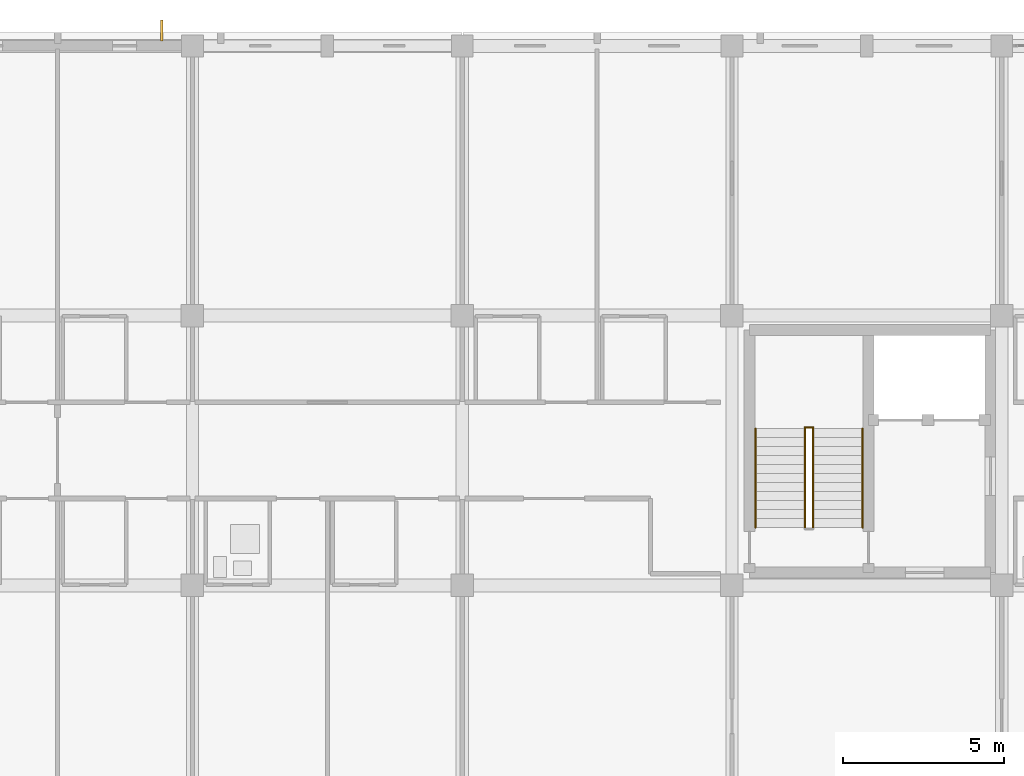
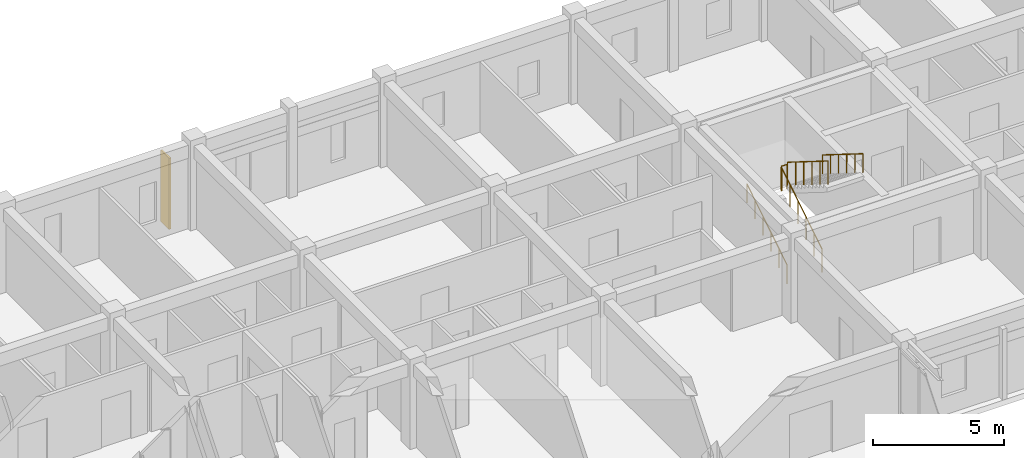
# One storey, part 137 of 140: 5 railings, 1 shading device.
"""IFC4 building model written with IfcOpenShell, lengths in metres."""

from ifc_helpers import new_model, si_unit, direction, frame, origin, origin_2d, place, context, subcontext, project, spatial, rectangle, circle, extrude, material, type_object, element, save


model = new_model("IFC4")

# Units and contexts
model_context = context("Model", 3, precision=1e-05, world=origin(), true_north=direction((0.0, 1.0)))
body_context = subcontext(model_context, "Body", "Model", "MODEL_VIEW")
ifc_project = project(units=[si_unit("LENGTHUNIT", "METRE"), si_unit("AREAUNIT", "SQUARE_METRE"), si_unit("VOLUMEUNIT", "CUBIC_METRE"), si_unit("PLANEANGLEUNIT", "RADIAN"), si_unit("MASSUNIT", "GRAM", prefix="KILO")], contexts=[model_context])

# Site, building, storey
site_placement = place(None, origin())
site = spatial("IfcSite", under=ifc_project, at=site_placement, CompositionType="ELEMENT")
building_placement = place(site_placement, origin())
building = spatial("IfcBuilding", under=site, at=building_placement, Name="Trelvath General Hospital", CompositionType="ELEMENT")
storey_placement = place(building_placement, frame((0.0, 0.0, 16.199951171875)))
storey = spatial("IfcBuildingStorey", under=building, at=storey_placement, Name="L04", CompositionType="ELEMENT", Elevation=16.199951171875)

# Railings
ifc_material_1 = material(Name="Architectural painted steel", Category="steel")
railing_type_1 = type_object("IfcRailingType", Name="Guardrail Terrace1150", PredefinedType="GUARDRAIL", material=ifc_material_1)
railing_1_placement = place(storey_placement, frame((86.530029296875, 105.679931640625, 2.275146484375)))
element("IfcRailing", 1, at=railing_1_placement, inside=storey, type_object=railing_type_1, Name="Stair Rail ST2 L04 F2 L 74", PredefinedType="GUARDRAIL", context=body_context, shape_type="SweptSolid", body=[
    extrude(circle(Radius=0.02392578125, at=origin_2d()), frame((0.0, 0.0, 1.076171875), z_axis=(0.0, -0.848009633417, 0.529980812513), x_axis=(1.0, 0.0, 0.0)), (0.0, 0.0, 1.0), 3.6318359375),
    extrude(circle(Radius=0.02099609375, at=origin_2d()), origin(), (0.0, 0.0, 1.0), 1.050048828125),
    extrude(circle(Radius=0.02099609375, at=origin_2d()), frame((0.0, -0.615966796875, 0.385009765625)), (0.0, 0.0, 1.0), 1.050048828125),
    extrude(circle(Radius=0.02099609375, at=origin_2d()), frame((0.0, -1.23193359375, 0.77001953125)), (0.0, 0.0, 1.0), 1.050048828125),
    extrude(circle(Radius=0.02099609375, at=origin_2d()), frame((0.0, -1.847900390625, 1.15478515625)), (0.0, 0.0, 1.0), 1.050048828125),
    extrude(circle(Radius=0.02099609375, at=origin_2d()), frame((0.0, -2.4638671875, 1.539794921875)), (0.0, 0.0, 1.0), 1.050048828125),
    extrude(circle(Radius=0.02099609375, at=origin_2d()), frame((0.0, -3.079833984375, 1.9248046875)), (0.0, 0.0, 1.0), 1.050048828125),
])
railing_2_placement = place(storey_placement, frame((86.27001953125, 102.60009765625, 0.175048828125)))
element("IfcRailing", 2, at=railing_2_placement, inside=storey, type_object=railing_type_1, Name="Stair Rail ST2 L04 F1 R 75", PredefinedType="GUARDRAIL", context=body_context, shape_type="SweptSolid", body=[
    extrude(circle(Radius=0.02392578125, at=origin_2d()), frame((0.0, 0.0, 1.076171875), z_axis=(0.0, 0.847979421464, 0.530029150871), x_axis=(-1.0, 0.0, 0.0)), (0.0, 0.0, 1.0), 3.632080078125),
    extrude(circle(Radius=0.02099609375, at=origin_2d()), origin(), (0.0, 0.0, 1.0), 1.050048828125),
    extrude(circle(Radius=0.02099609375, at=origin_2d()), frame((0.0, 0.615966796875, 0.385009765625)), (0.0, 0.0, 1.0), 1.050048828125),
    extrude(circle(Radius=0.02099609375, at=origin_2d()), frame((0.0, 1.23193359375, 0.77001953125)), (0.0, 0.0, 1.0), 1.050048828125),
    extrude(circle(Radius=0.02099609375, at=origin_2d()), frame((0.0, 1.847900390625, 1.155029296875)), (0.0, 0.0, 1.0), 1.050048828125),
    extrude(circle(Radius=0.02099609375, at=origin_2d()), frame((0.0, 2.4638671875, 1.5400390625)), (0.0, 0.0, 1.0), 1.050048828125),
    extrude(circle(Radius=0.02099609375, at=origin_2d()), frame((0.0, 3.079833984375, 1.925048828125)), (0.0, 0.0, 1.0), 1.050048828125),
])
railing_3_placement = place(storey_placement, frame((86.27001953125, 105.719970703125, 2.10009765625)))
element("IfcRailing", 3, at=railing_3_placement, inside=storey, type_object=railing_type_1, Name="Half-Landing Well Guard ST2 L04 77", PredefinedType="GUARDRAIL", context=body_context, shape_type="SweptSolid", body=[
    extrude(circle(Radius=0.02392578125, at=origin_2d()), frame((0.0, 0.0, 1.1259765625), z_axis=(1.0, 0.0, 0.0), x_axis=(0.0, 1.0, 0.0)), (0.0, 0.0, 1.0), 0.260009765625),
    extrude(circle(Radius=0.02099609375, at=origin_2d()), origin(), (0.0, 0.0, 1.0), 1.099853515625),
    extrude(circle(Radius=0.02099609375, at=origin_2d()), frame((0.260009765625, 0.0, 0.0)), (0.0, 0.0, 1.0), 1.099853515625),
])
ifc_material_2 = material(Name="Brushed stainless steel", Category="steel")
railing_type_2 = type_object("IfcRailingType", Name="Handrail Stair900", PredefinedType="HANDRAIL", material=ifc_material_2)
railing_4_placement = place(storey_placement, frame((84.72998046875, 102.60009765625, 0.175048828125)))
element("IfcRailing", 4, at=railing_4_placement, inside=storey, type_object=railing_type_2, Name="Stair Rail ST2 L04 F1 L 73", PredefinedType="HANDRAIL", context=body_context, shape_type="SweptSolid", body=[
    extrude(circle(Radius=0.02392578125, at=origin_2d()), frame((0.0, 0.0, 0.8759765625), z_axis=(0.0, 0.847979421464, 0.530029150871), x_axis=(-1.0, 0.0, 0.0)), (0.0, 0.0, 1.0), 3.632080078125),
    extrude(circle(Radius=0.02099609375, at=origin_2d()), origin(), (0.0, 0.0, 1.0), 0.849853515625),
    extrude(circle(Radius=0.02099609375, at=origin_2d()), frame((0.0, 0.615966796875, 0.385009765625)), (0.0, 0.0, 1.0), 0.849853515625),
    extrude(circle(Radius=0.02099609375, at=origin_2d()), frame((0.0, 1.23193359375, 0.77001953125)), (0.0, 0.0, 1.0), 0.849853515625),
    extrude(circle(Radius=0.02099609375, at=origin_2d()), frame((0.0, 1.847900390625, 1.155029296875)), (0.0, 0.0, 1.0), 0.849853515625),
    extrude(circle(Radius=0.02099609375, at=origin_2d()), frame((0.0, 2.4638671875, 1.5400390625)), (0.0, 0.0, 1.0), 0.849853515625),
    extrude(circle(Radius=0.02099609375, at=origin_2d()), frame((0.0, 3.079833984375, 1.925048828125)), (0.0, 0.0, 1.0), 0.849853515625),
])
railing_5_placement = place(storey_placement, frame((88.070068359375, 105.679931640625, 2.275146484375)))
element("IfcRailing", 5, at=railing_5_placement, inside=storey, type_object=railing_type_2, Name="Stair Rail ST2 L04 F2 R 76", PredefinedType="HANDRAIL", context=body_context, shape_type="SweptSolid", body=[
    extrude(circle(Radius=0.02392578125, at=origin_2d()), frame((0.0, 0.0, 0.8759765625), z_axis=(0.0, -0.848009633417, 0.529980812513), x_axis=(1.0, 0.0, 0.0)), (0.0, 0.0, 1.0), 3.6318359375),
    extrude(circle(Radius=0.02099609375, at=origin_2d()), origin(), (0.0, 0.0, 1.0), 0.849853515625),
    extrude(circle(Radius=0.02099609375, at=origin_2d()), frame((0.0, -0.615966796875, 0.385009765625)), (0.0, 0.0, 1.0), 0.849853515625),
    extrude(circle(Radius=0.02099609375, at=origin_2d()), frame((0.0, -1.23193359375, 0.77001953125)), (0.0, 0.0, 1.0), 0.849853515625),
    extrude(circle(Radius=0.02099609375, at=origin_2d()), frame((0.0, -1.847900390625, 1.15478515625)), (0.0, 0.0, 1.0), 0.849853515625),
    extrude(circle(Radius=0.02099609375, at=origin_2d()), frame((0.0, -2.4638671875, 1.539794921875)), (0.0, 0.0, 1.0), 0.849853515625),
    extrude(circle(Radius=0.02099609375, at=origin_2d()), frame((0.0, -3.079833984375, 1.9248046875)), (0.0, 0.0, 1.0), 0.849853515625),
])

# Shading device
ifc_material_3 = material(Name="Anodised aluminium", Category="aluminium")
shading_device_type = type_object("IfcShadingDeviceType", Name="SolarScreen PerforatedAlu", PredefinedType="JALOUSIE", material=ifc_material_3)
shading_device_placement = place(storey_placement, frame((66.24658203125, 118.080078125, 0.0), z_axis=(0.0, 0.0, 1.0), x_axis=(0.0, 1.0, 0.0)))
element("IfcShadingDevice", 6, at=shading_device_placement, inside=storey, type_object=shading_device_type, Name="Solar Brise-Soleil Screen L04-75", PredefinedType="JALOUSIE", context=body_context, shape_type="SweptSolid", body=[
    extrude(rectangle(XDim=0.64990234375, YDim=0.080078125, at=origin_2d()), origin(), (0.0, 0.0, 1.0), 3.320068359375),
])

save(model, "model.ifc")
